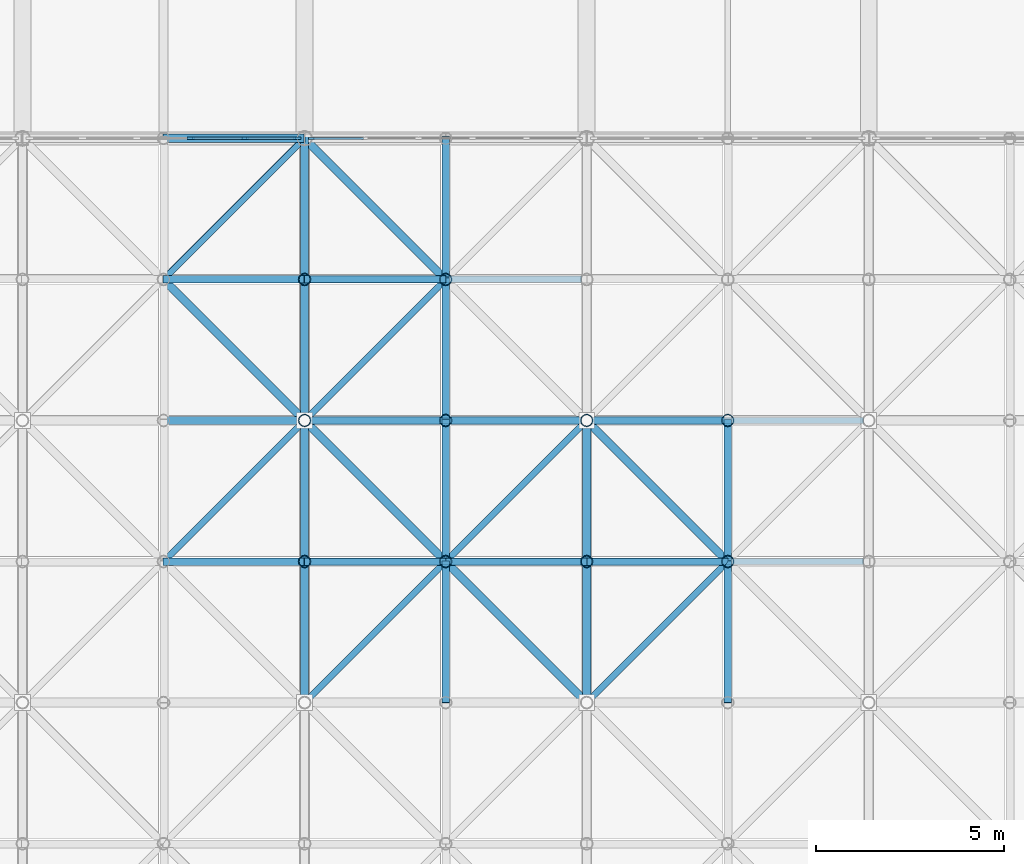
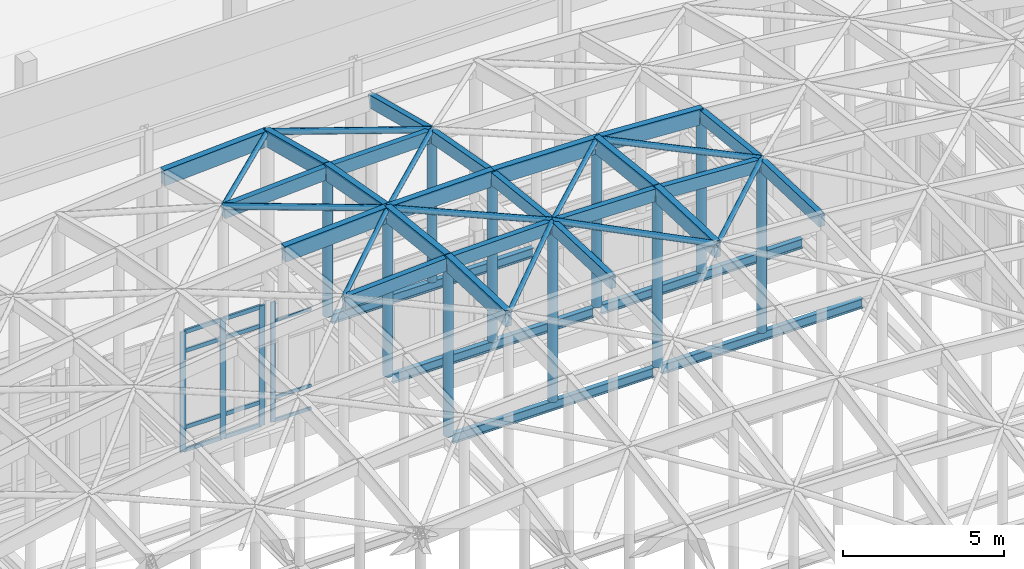
# One storey, part 40 of 131: 59 members, 5 beams, 2 elements without a shape of their own.
"""IFC4 building model written with IfcOpenShell, lengths in metres."""

from ifc_helpers import new_model, si_unit, direction, frame, origin, origin_2d, place, context, subcontext, project, spatial, rectangle, hollow_circle, i_section, extrude, material, layer, layer_set, material_profile, profile_set, type_object, element, aggregate, save


model = new_model("IFC4")

# Units and contexts
model_context = context("Model", 3, precision=1e-05, world=origin(), true_north=direction((0.0, 1.0)))
body_context = subcontext(model_context, "Body", "Model", "MODEL_VIEW")
ifc_project = project(units=[si_unit("LENGTHUNIT", "METRE"), si_unit("AREAUNIT", "SQUARE_METRE"), si_unit("VOLUMEUNIT", "CUBIC_METRE"), si_unit("PLANEANGLEUNIT", "RADIAN"), si_unit("MASSUNIT", "GRAM", prefix="KILO")], contexts=[model_context])

# Site, building, storey
site_placement = place(None, origin())
site = spatial("IfcSite", under=ifc_project, at=site_placement, CompositionType="ELEMENT")
building_placement = place(site_placement, origin())
building = spatial("IfcBuilding", under=site, at=building_placement, Name="Dalvernix Boulevard General Hospital", CompositionType="ELEMENT")
storey_placement = place(building_placement, frame((0.0, 0.0, 9.300048828125)))
storey = spatial("IfcBuildingStorey", under=building, at=storey_placement, Name="L02", CompositionType="ELEMENT", Elevation=9.300048828125)

# Beams
ifc_material_1 = material(Name="Steel S355", Category="steel")
ifc_material_profile_1 = material_profile(ifc_material_1, i_section(OverallWidth=0.169921875, OverallDepth=0.360107421875, WebThickness=0.008056640625, FlangeThickness=0.0126953125, FilletRadius=0.01806640625, at=origin_2d()), Name="IPE 360")
ifc_profile_set_1 = profile_set([ifc_material_profile_1], Name="Steel S355")
beam_type = type_object("IfcBeamType", Name="BM-RB-08", PredefinedType="BEAM", material=ifc_profile_set_1)
for number, where, z_axis, x_axis, name in (
    (1, (82.64208984375, 50.25, 6.219970703125), (1.0, 0.0, 0.0), (0.0, 1.0, 0.0), "ROOF TRUSS Gridshell cross tie 6-5"),
    (2, (90.14208984375, 50.25, 6.219970703125), (1.0, 0.0, 0.0), (0.0, 1.0, 0.0), "ROOF TRUSS Gridshell cross tie 8-5"),
    (3, (82.64208984375, 54.0, 6.219970703125), (1.0, 0.0, 0.0), (0.0, 1.0, 0.0), "ROOF TRUSS Gridshell cross tie 6-6"),
    (4, (90.14208984375, 54.0, 6.219970703125), (1.0, 0.0, 0.0), (0.0, 1.0, 0.0), "ROOF TRUSS Gridshell cross tie 8-6"),
    (5, (82.64208984375, 57.75, 6.219970703125), (1.0, 0.0, 0.0), (0.0, 1.0, 0.0), "ROOF TRUSS Gridshell cross tie 6-7"),
):
    element("IfcBeam", number, at=place(storey_placement, frame(where, z_axis=z_axis, x_axis=x_axis)), inside=storey, type_object=beam_type, Name=name, PredefinedType="BEAM", context=body_context, shape_type="SweptSolid", body=[
        extrude(i_section(OverallWidth=0.169921875, OverallDepth=0.360107421875, WebThickness=0.008056640625, FlangeThickness=0.0126953125, FilletRadius=0.01806640625, at=origin_2d()), origin(), (0.0, 0.0, 1.0), 7.2158203125),
    ])

# Curtain wall, member
ifc_material_2 = material(Name="Thermally broken aluminium and solar-control glass curtain wall", Category="aluminium")
ifc_layer_1 = layer(ifc_material_2, 0.159912109375)
ifc_layer_set_1 = layer_set([ifc_layer_1], Name="Thermally broken aluminium and solar-control glass curtain wall (CW-CW-A-72x46)")
curtain_wall_type_1 = type_object("IfcCurtainWallType", Name="CW-CW-A-72x46", PredefinedType="USERDEFINED", material=ifc_layer_set_1)
curtain_wall_1_placement = place(storey_placement, origin())
curtain_wall_1 = element("IfcCurtainWall", 6, at=curtain_wall_1_placement, inside=storey, type_object=curtain_wall_type_1, Name="L02 curtain wall CW-A-72x46 11-8", ObjectType="GLAZED FACADE", PredefinedType="USERDEFINED")
ifc_material_3 = material(Name="Aluminium EN AW-6060", Category="aluminium")
ifc_material_profile_2 = material_profile(ifc_material_3, rectangle(XDim=0.06005859375, YDim=0.159912109375, at=origin_2d()), Name="ALU MULL 60x160")
ifc_profile_set_2 = profile_set([ifc_material_profile_2], Name="Aluminium EN AW-6060")
member_type_1 = type_object("IfcMemberType", Name="MEM-CW-M1", PredefinedType="MULLION", material=ifc_profile_set_2)
member_1_placement = place(storey_placement, frame((82.68994140625, 61.5, 0.0), z_axis=(0.0, 0.0, 1.0), x_axis=(0.0, -1.0, 0.0)))
member_1 = element("IfcMember", 7, at=member_1_placement, type_object=member_type_1, Name="CW-A-72x46 mullion 6", PredefinedType="MULLION", context=body_context, shape_type="SweptSolid", body=[
    extrude(rectangle(XDim=0.06005859375, YDim=0.159912109375, at=origin_2d()), origin(), (0.0, 0.0, 1.0), 4.550048828125),
])

# Curtain wall, members
ifc_layer_2 = layer(ifc_material_2, 0.199951171875)
ifc_layer_set_2 = layer_set([ifc_layer_2], Name="Thermally broken aluminium and solar-control glass curtain wall (CW-CW-C-72x46)")
curtain_wall_type_2 = type_object("IfcCurtainWallType", Name="CW-CW-C-72x46", PredefinedType="USERDEFINED", material=ifc_layer_set_2)
curtain_wall_2_placement = place(storey_placement, origin())
curtain_wall_2 = element("IfcCurtainWall", 8, at=curtain_wall_2_placement, inside=storey, type_object=curtain_wall_type_2, Name="L02 curtain wall CW-C-72x46 10-8", ObjectType="GLAZED FACADE", PredefinedType="USERDEFINED")
ifc_material_profile_3 = material_profile(ifc_material_3, rectangle(XDim=0.070068359375, YDim=0.199951171875, at=origin_2d()), Name="ALU MULL 70x200")
ifc_profile_set_3 = profile_set([ifc_material_profile_3], Name="Aluminium EN AW-6060")
member_type_2 = type_object("IfcMemberType", Name="MEM-CW-M3", PredefinedType="MULLION", material=ifc_profile_set_3)
member_2_placement = place(storey_placement, frame((82.304931640625, 61.5, 0.0), z_axis=(0.0, 0.0, 1.0), x_axis=(0.0, -1.0, 0.0)))
member_2 = element("IfcMember", 9, at=member_2_placement, type_object=member_type_2, Name="CW-C-72x46 mullion 1", PredefinedType="MULLION", context=body_context, shape_type="SweptSolid", body=[
    extrude(rectangle(XDim=0.070068359375, YDim=0.199951171875, at=origin_2d()), origin(), (0.0, 0.0, 1.0), 4.550048828125),
])
member_3_placement = place(storey_placement, frame((80.904052734375, 61.5, 0.0), z_axis=(0.0, 0.0, 1.0), x_axis=(0.0, -1.0, 0.0)))
member_3 = element("IfcMember", 10, at=member_3_placement, type_object=member_type_2, Name="CW-C-72x46 mullion 2", PredefinedType="MULLION", context=body_context, shape_type="SweptSolid", body=[
    extrude(rectangle(XDim=0.070068359375, YDim=0.199951171875, at=origin_2d()), origin(), (0.0, 0.0, 1.0), 4.550048828125),
])
member_4_placement = place(storey_placement, frame((79.468017578125, 61.5, 0.0), z_axis=(0.0, 0.0, 1.0), x_axis=(0.0, -1.0, 0.0)))
member_4 = element("IfcMember", 11, at=member_4_placement, type_object=member_type_2, Name="CW-C-72x46 mullion 3", PredefinedType="MULLION", context=body_context, shape_type="SweptSolid", body=[
    extrude(rectangle(XDim=0.070068359375, YDim=0.199951171875, at=origin_2d()), origin(), (0.0, 0.0, 1.0), 4.550048828125),
])

# Member
ifc_material_profile_4 = material_profile(ifc_material_3, rectangle(XDim=0.06005859375, YDim=0.1201171875, at=origin_2d()), Name="ALU TRAN 60x120")
ifc_profile_set_4 = profile_set([ifc_material_profile_4], Name="Aluminium EN AW-6060")
member_type_3 = type_object("IfcMemberType", Name="MEM-CW-T1", PredefinedType="USERDEFINED", material=ifc_profile_set_4)
member_5_placement = place(storey_placement, frame((84.06591796875, 61.5, 0.030029296875), z_axis=(-1.0, 0.0, 0.0), x_axis=(0.0, -1.0, 0.0)))
member_5 = element("IfcMember", 12, at=member_5_placement, type_object=member_type_3, Name="CW-A-72x46 transom 5.1", ObjectType="TRANSOM", PredefinedType="USERDEFINED", context=body_context, shape_type="SweptSolid", body=[
    extrude(rectangle(XDim=0.06005859375, YDim=0.1201171875, at=origin_2d()), origin(), (0.0, 0.0, 1.0), 1.345947265625),
])

member_6_placement = place(storey_placement, frame((84.06591796875, 61.5, 0.89990234375), z_axis=(-1.0, 0.0, 0.0), x_axis=(0.0, -1.0, 0.0)))
member_6 = element("IfcMember", 13, at=member_6_placement, type_object=member_type_3, Name="CW-A-72x46 transom 5.2", ObjectType="TRANSOM", PredefinedType="USERDEFINED", context=body_context, shape_type="SweptSolid", body=[
    extrude(rectangle(XDim=0.06005859375, YDim=0.1201171875, at=origin_2d()), origin(), (0.0, 0.0, 1.0), 1.345947265625),
])

member_7_placement = place(storey_placement, frame((84.06591796875, 61.5, 3.800048828125), z_axis=(-1.0, 0.0, 0.0), x_axis=(0.0, -1.0, 0.0)))
member_7 = element("IfcMember", 14, at=member_7_placement, type_object=member_type_3, Name="CW-A-72x46 transom 5.3", ObjectType="TRANSOM", PredefinedType="USERDEFINED", context=body_context, shape_type="SweptSolid", body=[
    extrude(rectangle(XDim=0.06005859375, YDim=0.1201171875, at=origin_2d()), origin(), (0.0, 0.0, 1.0), 1.345947265625),
])

aggregate(curtain_wall_1, [member_1, member_5, member_6, member_7])

ifc_material_profile_5 = material_profile(ifc_material_3, rectangle(XDim=0.070068359375, YDim=0.14990234375, at=origin_2d()), Name="ALU TRAN 70x150")
ifc_profile_set_5 = profile_set([ifc_material_profile_5], Name="Aluminium EN AW-6060")
member_type_4 = type_object("IfcMemberType", Name="MEM-CW-T3", PredefinedType="USERDEFINED", material=ifc_profile_set_5)
member_8_placement = place(storey_placement, frame((82.27001953125, 61.5, 0.034912109375), z_axis=(-1.0, 0.0, 0.0), x_axis=(0.0, -1.0, 0.0)))
member_8 = element("IfcMember", 15, at=member_8_placement, type_object=member_type_4, Name="CW-C-72x46 transom 1.1", ObjectType="TRANSOM", PredefinedType="USERDEFINED", context=body_context, shape_type="SweptSolid", body=[
    extrude(rectangle(XDim=0.070068359375, YDim=0.14990234375, at=origin_2d()), origin(), (0.0, 0.0, 1.0), 1.3310546875),
])

member_9_placement = place(storey_placement, frame((82.27001953125, 61.5, 0.89990234375), z_axis=(-1.0, 0.0, 0.0), x_axis=(0.0, -1.0, 0.0)))
member_9 = element("IfcMember", 16, at=member_9_placement, type_object=member_type_4, Name="CW-C-72x46 transom 1.2", ObjectType="TRANSOM", PredefinedType="USERDEFINED", context=body_context, shape_type="SweptSolid", body=[
    extrude(rectangle(XDim=0.070068359375, YDim=0.14990234375, at=origin_2d()), origin(), (0.0, 0.0, 1.0), 1.3310546875),
])

member_10_placement = place(storey_placement, frame((82.27001953125, 61.5, 3.800048828125), z_axis=(-1.0, 0.0, 0.0), x_axis=(0.0, -1.0, 0.0)))
member_10 = element("IfcMember", 17, at=member_10_placement, type_object=member_type_4, Name="CW-C-72x46 transom 1.3", ObjectType="TRANSOM", PredefinedType="USERDEFINED", context=body_context, shape_type="SweptSolid", body=[
    extrude(rectangle(XDim=0.070068359375, YDim=0.14990234375, at=origin_2d()), origin(), (0.0, 0.0, 1.0), 1.3310546875),
])

member_11_placement = place(storey_placement, frame((82.27001953125, 61.5, 4.514892578125), z_axis=(-1.0, 0.0, 0.0), x_axis=(0.0, -1.0, 0.0)))
member_11 = element("IfcMember", 18, at=member_11_placement, type_object=member_type_4, Name="CW-C-72x46 transom 1.4", ObjectType="TRANSOM", PredefinedType="USERDEFINED", context=body_context, shape_type="SweptSolid", body=[
    extrude(rectangle(XDim=0.070068359375, YDim=0.14990234375, at=origin_2d()), origin(), (0.0, 0.0, 1.0), 1.3310546875),
])

member_12_placement = place(storey_placement, frame((80.868896484375, 61.5, 0.034912109375), z_axis=(-1.0, 0.0, 0.0), x_axis=(0.0, -1.0, 0.0)))
member_12 = element("IfcMember", 19, at=member_12_placement, type_object=member_type_4, Name="CW-C-72x46 transom 2.1", ObjectType="TRANSOM", PredefinedType="USERDEFINED", context=body_context, shape_type="SweptSolid", body=[
    extrude(rectangle(XDim=0.070068359375, YDim=0.14990234375, at=origin_2d()), origin(), (0.0, 0.0, 1.0), 1.365966796875),
])

member_13_placement = place(storey_placement, frame((80.868896484375, 61.5, 0.89990234375), z_axis=(-1.0, 0.0, 0.0), x_axis=(0.0, -1.0, 0.0)))
member_13 = element("IfcMember", 20, at=member_13_placement, type_object=member_type_4, Name="CW-C-72x46 transom 2.2", ObjectType="TRANSOM", PredefinedType="USERDEFINED", context=body_context, shape_type="SweptSolid", body=[
    extrude(rectangle(XDim=0.070068359375, YDim=0.14990234375, at=origin_2d()), origin(), (0.0, 0.0, 1.0), 1.365966796875),
])

member_14_placement = place(storey_placement, frame((80.868896484375, 61.5, 3.800048828125), z_axis=(-1.0, 0.0, 0.0), x_axis=(0.0, -1.0, 0.0)))
member_14 = element("IfcMember", 21, at=member_14_placement, type_object=member_type_4, Name="CW-C-72x46 transom 2.3", ObjectType="TRANSOM", PredefinedType="USERDEFINED", context=body_context, shape_type="SweptSolid", body=[
    extrude(rectangle(XDim=0.070068359375, YDim=0.14990234375, at=origin_2d()), origin(), (0.0, 0.0, 1.0), 1.365966796875),
])

member_15_placement = place(storey_placement, frame((80.868896484375, 61.5, 4.514892578125), z_axis=(-1.0, 0.0, 0.0), x_axis=(0.0, -1.0, 0.0)))
member_15 = element("IfcMember", 22, at=member_15_placement, type_object=member_type_4, Name="CW-C-72x46 transom 2.4", ObjectType="TRANSOM", PredefinedType="USERDEFINED", context=body_context, shape_type="SweptSolid", body=[
    extrude(rectangle(XDim=0.070068359375, YDim=0.14990234375, at=origin_2d()), origin(), (0.0, 0.0, 1.0), 1.365966796875),
])

aggregate(curtain_wall_2, [member_2, member_3, member_4, member_8, member_9, member_10, member_11, member_12, member_13, member_14, member_15])

# Members
ifc_material_4 = material(Name="Glulam GL28h", Category="wood")
ifc_material_profile_6 = material_profile(ifc_material_4, rectangle(XDim=0.219970703125, YDim=0.60009765625, at=origin_2d()), Name="GL28h 220x600")
ifc_profile_set_6 = profile_set([ifc_material_profile_6], Name="Glulam GL28h")
member_type_5 = type_object("IfcMemberType", Name="MEM-GS-C1", PredefinedType="CHORD", material=ifc_profile_set_6)
member_16_placement = place(storey_placement, frame((78.75, 54.0, 12.322265625), z_axis=(0.998461553046, 0.0, 0.055448418278), x_axis=(0.0, 1.0, 0.0)))
element("IfcMember", 23, at=member_16_placement, inside=storey, type_object=member_type_5, Name="ROOF TRUSS Gridshell E-W glulam rib 6-7", PredefinedType="CHORD", context=body_context, shape_type="SweptSolid", body=[
    extrude(rectangle(XDim=0.219970703125, YDim=0.60009765625, at=origin_2d()), origin(), (0.0, 0.0, 1.0), 3.755859375),
])
for number, where, z_axis, x_axis, name in (
    (24, (82.5, 54.0, 12.530517578125), (0.999829111468, 0.0, 0.018486423676), (0.0, 1.0, 0.0), "ROOF TRUSS Gridshell E-W glulam rib 7-7"),
    (25, (86.25, 54.0, 12.599853515625), (0.999829111468, 0.0, -0.018486423676), (0.0, 1.0, 0.0), "ROOF TRUSS Gridshell E-W glulam rib 8-7"),
):
    element("IfcMember", number, at=place(storey_placement, frame(where, z_axis=z_axis, x_axis=x_axis)), inside=storey, type_object=member_type_5, Name=name, PredefinedType="CHORD", context=body_context, shape_type="SweptSolid", body=[
        extrude(rectangle(XDim=0.219970703125, YDim=0.60009765625, at=origin_2d()), origin(), (0.0, 0.0, 1.0), 3.750732421875),
    ])
for number, where, z_axis, x_axis, name in (
    (26, (90.0, 54.0, 12.530517578125), (0.998461553046, 0.0, -0.055448418278), (0.0, 1.0, 0.0), "ROOF TRUSS Gridshell E-W glulam rib 9-7"),
    (27, (78.75, 61.5, 10.67236328125), (0.998461553046, 0.0, 0.055448418278), (0.0, 1.0, 0.0), "ROOF TRUSS Gridshell E-W glulam rib 6-9"),
):
    element("IfcMember", number, at=place(storey_placement, frame(where, z_axis=z_axis, x_axis=x_axis)), inside=storey, type_object=member_type_5, Name=name, PredefinedType="CHORD", context=body_context, shape_type="SweptSolid", body=[
        extrude(rectangle(XDim=0.219970703125, YDim=0.60009765625, at=origin_2d()), origin(), (0.0, 0.0, 1.0), 3.755859375),
    ])
member_17_placement = place(storey_placement, frame((82.5, 46.5, 13.08056640625), z_axis=(0.0, 0.999328931228, -0.036629048716), x_axis=(-1.0, 0.0, 0.0)))
element("IfcMember", 28, at=member_17_placement, inside=storey, type_object=member_type_5, Name="ROOF TRUSS Gridshell N-S glulam rib 7-5", PredefinedType="CHORD", context=body_context, shape_type="SweptSolid", body=[
    extrude(rectangle(XDim=0.219970703125, YDim=0.60009765625, at=origin_2d()), origin(), (0.0, 0.0, 1.0), 3.75244140625),
])
member_18_placement = place(storey_placement, frame((82.5, 50.25, 12.943115234375), z_axis=(0.0, 0.994001542248, -0.109366055104), x_axis=(-1.0, 0.0, 0.0)))
element("IfcMember", 29, at=member_18_placement, inside=storey, type_object=member_type_5, Name="ROOF TRUSS Gridshell N-S glulam rib 7-6", PredefinedType="CHORD", context=body_context, shape_type="SweptSolid", body=[
    extrude(rectangle(XDim=0.219970703125, YDim=0.60009765625, at=origin_2d()), origin(), (0.0, 0.0, 1.0), 3.772705078125),
])
member_19_placement = place(storey_placement, frame((82.5, 54.0, 12.530517578125), z_axis=(0.0, 0.983606557377, -0.180327868852), x_axis=(-1.0, 0.0, 0.0)))
element("IfcMember", 30, at=member_19_placement, inside=storey, type_object=member_type_5, Name="ROOF TRUSS Gridshell N-S glulam rib 7-7", PredefinedType="CHORD", context=body_context, shape_type="SweptSolid", body=[
    extrude(rectangle(XDim=0.219970703125, YDim=0.60009765625, at=origin_2d()), origin(), (0.0, 0.0, 1.0), 3.8125),
])
member_20_placement = place(storey_placement, frame((82.5, 57.75, 11.843017578125), z_axis=(0.0, 0.968610158303, -0.248584716408), x_axis=(-1.0, 0.0, 0.0)))
element("IfcMember", 31, at=member_20_placement, inside=storey, type_object=member_type_5, Name="ROOF TRUSS Gridshell N-S glulam rib 7-8", PredefinedType="CHORD", context=body_context, shape_type="SweptSolid", body=[
    extrude(rectangle(XDim=0.219970703125, YDim=0.60009765625, at=origin_2d()), origin(), (0.0, 0.0, 1.0), 3.87158203125),
])
member_21_placement = place(storey_placement, frame((90.0, 46.5, 13.08056640625), z_axis=(0.0, 0.999328931228, -0.036629048716), x_axis=(-1.0, 0.0, 0.0)))
element("IfcMember", 32, at=member_21_placement, inside=storey, type_object=member_type_5, Name="ROOF TRUSS Gridshell N-S glulam rib 9-5", PredefinedType="CHORD", context=body_context, shape_type="SweptSolid", body=[
    extrude(rectangle(XDim=0.219970703125, YDim=0.60009765625, at=origin_2d()), origin(), (0.0, 0.0, 1.0), 3.75244140625),
])
member_22_placement = place(storey_placement, frame((90.0, 50.25, 12.943115234375), z_axis=(0.0, 0.994001542248, -0.109366055104), x_axis=(-1.0, 0.0, 0.0)))
element("IfcMember", 33, at=member_22_placement, inside=storey, type_object=member_type_5, Name="ROOF TRUSS Gridshell N-S glulam rib 9-6", PredefinedType="CHORD", context=body_context, shape_type="SweptSolid", body=[
    extrude(rectangle(XDim=0.219970703125, YDim=0.60009765625, at=origin_2d()), origin(), (0.0, 0.0, 1.0), 3.772705078125),
])
ifc_material_profile_7 = material_profile(ifc_material_4, rectangle(XDim=0.199951171875, YDim=0.47998046875, at=origin_2d()), Name="GL28h 200x480")
ifc_profile_set_7 = profile_set([ifc_material_profile_7], Name="Glulam GL28h")
member_type_6 = type_object("IfcMemberType", Name="MEM-GS-C2", PredefinedType="CHORD", material=ifc_profile_set_7)
member_23_placement = place(storey_placement, frame((78.75, 50.25, 12.73486328125), z_axis=(0.998461553046, 0.0, 0.055448418278), x_axis=(0.0, 1.0, 0.0)))
element("IfcMember", 34, at=member_23_placement, inside=storey, type_object=member_type_6, Name="ROOF TRUSS Gridshell E-W glulam rib 6-6", PredefinedType="CHORD", context=body_context, shape_type="SweptSolid", body=[
    extrude(rectangle(XDim=0.199951171875, YDim=0.47998046875, at=origin_2d()), origin(), (0.0, 0.0, 1.0), 3.755859375),
])
for number, where, z_axis, x_axis, name in (
    (35, (82.5, 50.25, 12.943115234375), (0.999829111468, 0.0, 0.018486423676), (0.0, 1.0, 0.0), "ROOF TRUSS Gridshell E-W glulam rib 7-6"),
    (36, (86.25, 50.25, 13.012451171875), (0.999829111468, 0.0, -0.018486423676), (0.0, 1.0, 0.0), "ROOF TRUSS Gridshell E-W glulam rib 8-6"),
):
    element("IfcMember", number, at=place(storey_placement, frame(where, z_axis=z_axis, x_axis=x_axis)), inside=storey, type_object=member_type_6, Name=name, PredefinedType="CHORD", context=body_context, shape_type="SweptSolid", body=[
        extrude(rectangle(XDim=0.199951171875, YDim=0.47998046875, at=origin_2d()), origin(), (0.0, 0.0, 1.0), 3.750732421875),
    ])
for number, where, z_axis, x_axis, name in (
    (37, (90.0, 50.25, 12.943115234375), (0.998461553046, 0.0, -0.055448418278), (0.0, 1.0, 0.0), "ROOF TRUSS Gridshell E-W glulam rib 9-6"),
    (38, (78.75, 57.75, 11.634765625), (0.998461553046, 0.0, 0.055448418278), (0.0, 1.0, 0.0), "ROOF TRUSS Gridshell E-W glulam rib 6-8"),
):
    element("IfcMember", number, at=place(storey_placement, frame(where, z_axis=z_axis, x_axis=x_axis)), inside=storey, type_object=member_type_6, Name=name, PredefinedType="CHORD", context=body_context, shape_type="SweptSolid", body=[
        extrude(rectangle(XDim=0.199951171875, YDim=0.47998046875, at=origin_2d()), origin(), (0.0, 0.0, 1.0), 3.755859375),
    ])
member_24_placement = place(storey_placement, frame((82.5, 57.75, 11.843017578125), z_axis=(0.999829111468, 0.0, 0.018486423676), x_axis=(0.0, 1.0, 0.0)))
element("IfcMember", 39, at=member_24_placement, inside=storey, type_object=member_type_6, Name="ROOF TRUSS Gridshell E-W glulam rib 7-8", PredefinedType="CHORD", context=body_context, shape_type="SweptSolid", body=[
    extrude(rectangle(XDim=0.199951171875, YDim=0.47998046875, at=origin_2d()), origin(), (0.0, 0.0, 1.0), 3.750732421875),
])
member_25_placement = place(storey_placement, frame((86.25, 46.5, 13.14990234375), z_axis=(0.0, 0.999328931228, -0.036629048716), x_axis=(-1.0, 0.0, 0.0)))
element("IfcMember", 40, at=member_25_placement, inside=storey, type_object=member_type_6, Name="ROOF TRUSS Gridshell N-S glulam rib 8-5", PredefinedType="CHORD", context=body_context, shape_type="SweptSolid", body=[
    extrude(rectangle(XDim=0.199951171875, YDim=0.47998046875, at=origin_2d()), origin(), (0.0, 0.0, 1.0), 3.75244140625),
])
member_26_placement = place(storey_placement, frame((86.25, 50.25, 13.012451171875), z_axis=(0.0, 0.994001542248, -0.109366055104), x_axis=(-1.0, 0.0, 0.0)))
element("IfcMember", 41, at=member_26_placement, inside=storey, type_object=member_type_6, Name="ROOF TRUSS Gridshell N-S glulam rib 8-6", PredefinedType="CHORD", context=body_context, shape_type="SweptSolid", body=[
    extrude(rectangle(XDim=0.199951171875, YDim=0.47998046875, at=origin_2d()), origin(), (0.0, 0.0, 1.0), 3.772705078125),
])
member_27_placement = place(storey_placement, frame((86.25, 54.0, 12.599853515625), z_axis=(0.0, 0.983606557377, -0.180327868852), x_axis=(-1.0, 0.0, 0.0)))
element("IfcMember", 42, at=member_27_placement, inside=storey, type_object=member_type_6, Name="ROOF TRUSS Gridshell N-S glulam rib 8-7", PredefinedType="CHORD", context=body_context, shape_type="SweptSolid", body=[
    extrude(rectangle(XDim=0.199951171875, YDim=0.47998046875, at=origin_2d()), origin(), (0.0, 0.0, 1.0), 3.8125),
])
member_28_placement = place(storey_placement, frame((86.25, 57.75, 11.912353515625), z_axis=(0.0, 0.968610158303, -0.248584716408), x_axis=(-1.0, 0.0, 0.0)))
element("IfcMember", 43, at=member_28_placement, inside=storey, type_object=member_type_6, Name="ROOF TRUSS Gridshell N-S glulam rib 8-8", PredefinedType="CHORD", context=body_context, shape_type="SweptSolid", body=[
    extrude(rectangle(XDim=0.199951171875, YDim=0.47998046875, at=origin_2d()), origin(), (0.0, 0.0, 1.0), 3.87158203125),
])
member_29_placement = place(storey_placement, frame((93.75, 46.5, 12.872314453125), z_axis=(0.0, 0.999328931228, -0.036629048716), x_axis=(-1.0, 0.0, 0.0)))
element("IfcMember", 44, at=member_29_placement, inside=storey, type_object=member_type_6, Name="ROOF TRUSS Gridshell N-S glulam rib 10-5", PredefinedType="CHORD", context=body_context, shape_type="SweptSolid", body=[
    extrude(rectangle(XDim=0.199951171875, YDim=0.47998046875, at=origin_2d()), origin(), (0.0, 0.0, 1.0), 3.75244140625),
])
member_30_placement = place(storey_placement, frame((93.75, 50.25, 12.73486328125), z_axis=(0.0, 0.994001542248, -0.109366055104), x_axis=(-1.0, 0.0, 0.0)))
element("IfcMember", 45, at=member_30_placement, inside=storey, type_object=member_type_6, Name="ROOF TRUSS Gridshell N-S glulam rib 10-6", PredefinedType="CHORD", context=body_context, shape_type="SweptSolid", body=[
    extrude(rectangle(XDim=0.199951171875, YDim=0.47998046875, at=origin_2d()), origin(), (0.0, 0.0, 1.0), 3.772705078125),
])
ifc_material_profile_8 = material_profile(ifc_material_1, hollow_circle(Radius=0.161865234375, WallThickness=0.012451171875, at=origin_2d()), Name="CHS 323.9x12.5")
ifc_profile_set_8 = profile_set([ifc_material_profile_8], Name="Steel S355")
member_type_7 = type_object("IfcMemberType", Name="MEM-GS-C3", PredefinedType="CHORD", material=ifc_profile_set_8)
member_31_placement = place(storey_placement, frame((82.5, 50.25, 6.39990234375), z_axis=(0.0, 0.0, 1.0), x_axis=(1.0, 0.0, 0.0)))
element("IfcMember", 46, at=member_31_placement, inside=storey, type_object=member_type_7, Name="ROOF TRUSS Gridshell arch queen post 6-5", PredefinedType="CHORD", context=body_context, shape_type="SweptSolid", body=[
    extrude(hollow_circle(Radius=0.161865234375, WallThickness=0.012451171875, at=origin_2d()), origin(), (0.0, 0.0, 1.0), 6.543212890625),
])
member_32_placement = place(storey_placement, frame((82.5, 54.0, 6.39990234375), z_axis=(0.0, 0.0, 1.0), x_axis=(1.0, 0.0, 0.0)))
element("IfcMember", 47, at=member_32_placement, inside=storey, type_object=member_type_7, Name="ROOF TRUSS Gridshell arch queen post 6-6", PredefinedType="CHORD", context=body_context, shape_type="SweptSolid", body=[
    extrude(hollow_circle(Radius=0.161865234375, WallThickness=0.012451171875, at=origin_2d()), origin(), (0.0, 0.0, 1.0), 6.130615234375),
])
member_33_placement = place(storey_placement, frame((82.5, 57.75, 6.39990234375), z_axis=(0.0, 0.0, 1.0), x_axis=(1.0, 0.0, 0.0)))
element("IfcMember", 48, at=member_33_placement, inside=storey, type_object=member_type_7, Name="ROOF TRUSS Gridshell arch queen post 6-7", PredefinedType="CHORD", context=body_context, shape_type="SweptSolid", body=[
    extrude(hollow_circle(Radius=0.161865234375, WallThickness=0.012451171875, at=origin_2d()), origin(), (0.0, 0.0, 1.0), 5.443115234375),
])
member_34_placement = place(storey_placement, frame((86.25, 50.25, 6.39990234375), z_axis=(0.0, 0.0, 1.0), x_axis=(1.0, 0.0, 0.0)))
element("IfcMember", 49, at=member_34_placement, inside=storey, type_object=member_type_7, Name="ROOF TRUSS Gridshell arch queen post 7-5", PredefinedType="CHORD", context=body_context, shape_type="SweptSolid", body=[
    extrude(hollow_circle(Radius=0.161865234375, WallThickness=0.012451171875, at=origin_2d()), origin(), (0.0, 0.0, 1.0), 6.612548828125),
])
member_35_placement = place(storey_placement, frame((86.25, 54.0, 6.39990234375), z_axis=(0.0, 0.0, 1.0), x_axis=(1.0, 0.0, 0.0)))
element("IfcMember", 50, at=member_35_placement, inside=storey, type_object=member_type_7, Name="ROOF TRUSS Gridshell arch queen post 7-6", PredefinedType="CHORD", context=body_context, shape_type="SweptSolid", body=[
    extrude(hollow_circle(Radius=0.161865234375, WallThickness=0.012451171875, at=origin_2d()), origin(), (0.0, 0.0, 1.0), 6.199951171875),
])
member_36_placement = place(storey_placement, frame((86.25, 57.75, 6.39990234375), z_axis=(0.0, 0.0, 1.0), x_axis=(1.0, 0.0, 0.0)))
element("IfcMember", 51, at=member_36_placement, inside=storey, type_object=member_type_7, Name="ROOF TRUSS Gridshell arch queen post 7-7", PredefinedType="CHORD", context=body_context, shape_type="SweptSolid", body=[
    extrude(hollow_circle(Radius=0.161865234375, WallThickness=0.012451171875, at=origin_2d()), origin(), (0.0, 0.0, 1.0), 5.512451171875),
])
member_37_placement = place(storey_placement, frame((90.0, 50.25, 6.39990234375), z_axis=(0.0, 0.0, 1.0), x_axis=(1.0, 0.0, 0.0)))
element("IfcMember", 52, at=member_37_placement, inside=storey, type_object=member_type_7, Name="ROOF TRUSS Gridshell arch queen post 8-5", PredefinedType="CHORD", context=body_context, shape_type="SweptSolid", body=[
    extrude(hollow_circle(Radius=0.161865234375, WallThickness=0.012451171875, at=origin_2d()), origin(), (0.0, 0.0, 1.0), 6.543212890625),
])
member_38_placement = place(storey_placement, frame((90.0, 54.0, 6.39990234375), z_axis=(0.0, 0.0, 1.0), x_axis=(1.0, 0.0, 0.0)))
element("IfcMember", 53, at=member_38_placement, inside=storey, type_object=member_type_7, Name="ROOF TRUSS Gridshell arch queen post 8-6", PredefinedType="CHORD", context=body_context, shape_type="SweptSolid", body=[
    extrude(hollow_circle(Radius=0.161865234375, WallThickness=0.012451171875, at=origin_2d()), origin(), (0.0, 0.0, 1.0), 6.130615234375),
])
member_39_placement = place(storey_placement, frame((93.75, 50.25, 6.39990234375), z_axis=(0.0, 0.0, 1.0), x_axis=(1.0, 0.0, 0.0)))
element("IfcMember", 54, at=member_39_placement, inside=storey, type_object=member_type_7, Name="ROOF TRUSS Gridshell arch queen post 9-5", PredefinedType="CHORD", context=body_context, shape_type="SweptSolid", body=[
    extrude(hollow_circle(Radius=0.161865234375, WallThickness=0.012451171875, at=origin_2d()), origin(), (0.0, 0.0, 1.0), 6.3349609375),
])
member_40_placement = place(storey_placement, frame((93.75, 54.0, 6.39990234375), z_axis=(0.0, 0.0, 1.0), x_axis=(1.0, 0.0, 0.0)))
element("IfcMember", 55, at=member_40_placement, inside=storey, type_object=member_type_7, Name="ROOF TRUSS Gridshell arch queen post 9-6", PredefinedType="CHORD", context=body_context, shape_type="SweptSolid", body=[
    extrude(hollow_circle(Radius=0.161865234375, WallThickness=0.012451171875, at=origin_2d()), origin(), (0.0, 0.0, 1.0), 5.92236328125),
])
ifc_material_profile_9 = material_profile(ifc_material_1, hollow_circle(Radius=0.084228515625, WallThickness=0.00634765625, at=origin_2d()), Name="CHS 168.3x6.3")
ifc_profile_set_9 = profile_set([ifc_material_profile_9], Name="Steel S355")
member_type_8 = type_object("IfcMemberType", Name="MEM-GSD-01", PredefinedType="BRACE", material=ifc_profile_set_9)
member_41_placement = place(storey_placement, frame((78.75, 50.25, 12.9248046875), z_axis=(0.706582444522, 0.706582444522, -0.038503223051), x_axis=(-0.707106781187, 0.707106781187, 0.0)))
element("IfcMember", 56, at=member_41_placement, inside=storey, type_object=member_type_8, Name="ROOF TRUSS Gridshell diagrid tube 6-6", PredefinedType="BRACE", context=body_context, shape_type="SweptSolid", body=[
    extrude(hollow_circle(Radius=0.084228515625, WallThickness=0.00634765625, at=origin_2d()), origin(), (0.0, 0.0, 1.0), 5.30712890625),
])
member_42_placement = place(storey_placement, frame((78.75, 57.75, 11.824951171875), z_axis=(0.700059381411, 0.700059381411, -0.14083225837), x_axis=(-0.707106781187, 0.707106781187, 0.0)))
element("IfcMember", 57, at=member_42_placement, inside=storey, type_object=member_type_8, Name="ROOF TRUSS Gridshell diagrid tube 6-8", PredefinedType="BRACE", context=body_context, shape_type="SweptSolid", body=[
    extrude(hollow_circle(Radius=0.084228515625, WallThickness=0.00634765625, at=origin_2d()), origin(), (0.0, 0.0, 1.0), 5.356689453125),
])
member_43_placement = place(storey_placement, frame((82.5, 46.5, 13.2705078125), z_axis=(0.707048463907, 0.707048463907, -0.012842872489), x_axis=(-0.707106781187, 0.707106781187, 0.0)))
element("IfcMember", 58, at=member_43_placement, inside=storey, type_object=member_type_8, Name="ROOF TRUSS Gridshell diagrid tube 7-5", PredefinedType="BRACE", context=body_context, shape_type="SweptSolid", body=[
    extrude(hollow_circle(Radius=0.084228515625, WallThickness=0.00634765625, at=origin_2d()), origin(), (0.0, 0.0, 1.0), 5.3037109375),
])
member_44_placement = place(storey_placement, frame((82.5, 54.0, 12.720458984375), z_axis=(0.702355265551, 0.702355265551, -0.115733149551), x_axis=(-0.707106781187, 0.707106781187, 0.0)))
element("IfcMember", 59, at=member_44_placement, inside=storey, type_object=member_type_8, Name="ROOF TRUSS Gridshell diagrid tube 7-7", PredefinedType="BRACE", context=body_context, shape_type="SweptSolid", body=[
    extrude(hollow_circle(Radius=0.084228515625, WallThickness=0.00634765625, at=origin_2d()), origin(), (0.0, 0.0, 1.0), 5.339111328125),
])
member_45_placement = place(storey_placement, frame((86.25, 50.25, 13.202392578125), z_axis=(0.704205050131, 0.704205050131, -0.090501352146), x_axis=(-0.707106781187, 0.707106781187, 0.0)))
element("IfcMember", 60, at=member_45_placement, inside=storey, type_object=member_type_8, Name="ROOF TRUSS Gridshell diagrid tube 8-6", PredefinedType="BRACE", context=body_context, shape_type="SweptSolid", body=[
    extrude(hollow_circle(Radius=0.084228515625, WallThickness=0.00634765625, at=origin_2d()), origin(), (0.0, 0.0, 1.0), 5.3251953125),
])
member_46_placement = place(storey_placement, frame((90.0, 46.5, 13.2705078125), z_axis=(0.705609209228, 0.705609209228, -0.065048348976), x_axis=(-0.707106781187, 0.707106781187, 0.0)))
element("IfcMember", 61, at=member_46_placement, inside=storey, type_object=member_type_8, Name="ROOF TRUSS Gridshell diagrid tube 9-5", PredefinedType="BRACE", context=body_context, shape_type="SweptSolid", body=[
    extrude(hollow_circle(Radius=0.084228515625, WallThickness=0.00634765625, at=origin_2d()), origin(), (0.0, 0.0, 1.0), 5.314453125),
])
ifc_material_profile_10 = material_profile(ifc_material_1, hollow_circle(Radius=0.109619140625, WallThickness=0.008056640625, at=origin_2d()), Name="CHS 219.1x8.0")
ifc_profile_set_10 = profile_set([ifc_material_profile_10], Name="Steel S355")
member_type_9 = type_object("IfcMemberType", Name="MEM-GSD-02", PredefinedType="BRACE", material=ifc_profile_set_10)
member_47_placement = place(storey_placement, frame((82.5, 54.0, 12.720458984375), z_axis=(-0.69723641879, 0.69723641879, -0.166501509383), x_axis=(-0.707106781187, -0.707106781187, 0.0)))
element("IfcMember", 62, at=member_47_placement, inside=storey, type_object=member_type_9, Name="ROOF TRUSS Gridshell diagrid tube 6-7", PredefinedType="BRACE", context=body_context, shape_type="SweptSolid", body=[
    extrude(hollow_circle(Radius=0.109619140625, WallThickness=0.008056640625, at=origin_2d()), origin(), (0.0, 0.0, 1.0), 5.37841796875),
])
member_48_placement = place(storey_placement, frame((86.25, 50.25, 13.202392578125), z_axis=(-0.704205050131, 0.704205050131, -0.090501352146), x_axis=(-0.707106781187, -0.707106781187, 0.0)))
element("IfcMember", 63, at=member_48_placement, inside=storey, type_object=member_type_9, Name="ROOF TRUSS Gridshell diagrid tube 7-6", PredefinedType="BRACE", context=body_context, shape_type="SweptSolid", body=[
    extrude(hollow_circle(Radius=0.109619140625, WallThickness=0.008056640625, at=origin_2d()), origin(), (0.0, 0.0, 1.0), 5.3251953125),
])
member_49_placement = place(storey_placement, frame((86.25, 57.75, 12.1025390625), z_axis=(-0.694087641346, 0.694087641346, -0.191009665363), x_axis=(-0.707106781187, -0.707106781187, 0.0)))
element("IfcMember", 64, at=member_49_placement, inside=storey, type_object=member_type_9, Name="ROOF TRUSS Gridshell diagrid tube 7-8", PredefinedType="BRACE", context=body_context, shape_type="SweptSolid", body=[
    extrude(hollow_circle(Radius=0.109619140625, WallThickness=0.008056640625, at=origin_2d()), origin(), (0.0, 0.0, 1.0), 5.40283203125),
])
member_50_placement = place(storey_placement, frame((90.0, 46.5, 13.2705078125), z_axis=(-0.707048463907, 0.707048463907, -0.012842872489), x_axis=(-0.707106781187, -0.707106781187, 0.0)))
element("IfcMember", 65, at=member_50_placement, inside=storey, type_object=member_type_9, Name="ROOF TRUSS Gridshell diagrid tube 8-5", PredefinedType="BRACE", context=body_context, shape_type="SweptSolid", body=[
    extrude(hollow_circle(Radius=0.109619140625, WallThickness=0.008056640625, at=origin_2d()), origin(), (0.0, 0.0, 1.0), 5.3037109375),
])
member_51_placement = place(storey_placement, frame((93.75, 50.25, 12.9248046875), z_axis=(-0.706582444522, 0.706582444522, -0.038503223051), x_axis=(-0.707106781187, -0.707106781187, 0.0)))
element("IfcMember", 66, at=member_51_placement, inside=storey, type_object=member_type_9, Name="ROOF TRUSS Gridshell diagrid tube 9-6", PredefinedType="BRACE", context=body_context, shape_type="SweptSolid", body=[
    extrude(hollow_circle(Radius=0.109619140625, WallThickness=0.008056640625, at=origin_2d()), origin(), (0.0, 0.0, 1.0), 5.30712890625),
])

save(model, "model.ifc")
